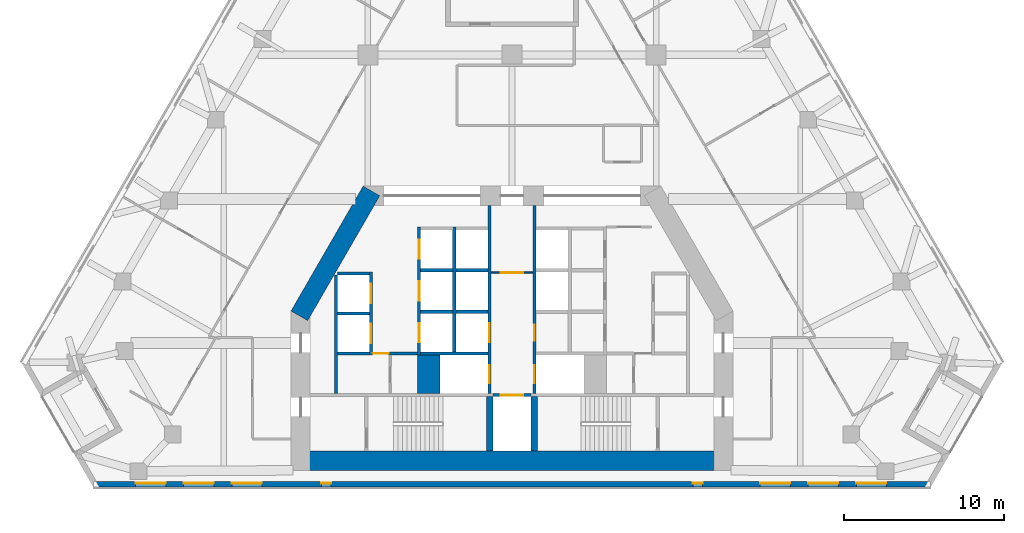
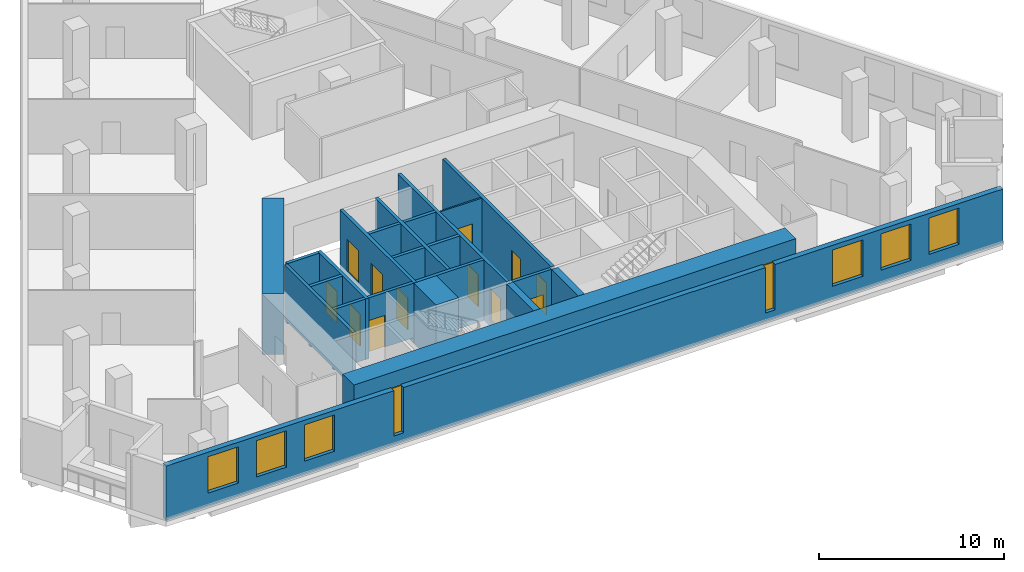
# One storey, part 4 of 9: 23 walls, 12 doors, 8 windows, 20 openings.
"""IFC4 building model written with IfcOpenShell, lengths in metres."""

from ifc_helpers import new_model, si_unit, direction, frame, frame_2d, origin, place, context, subcontext, project, spatial, rectangle, extrude, material, layer, layer_set, type_object, element, fill, save


model = new_model("IFC4")

# Units and contexts
model_context = context("Model", 3, precision=1e-05, world=origin(), true_north=direction((0.0, 1.0)))
body_context = subcontext(model_context, "Body", "Model", "MODEL_VIEW")
ifc_project = project(units=[si_unit("LENGTHUNIT", "METRE"), si_unit("AREAUNIT", "SQUARE_METRE"), si_unit("VOLUMEUNIT", "CUBIC_METRE"), si_unit("PLANEANGLEUNIT", "RADIAN"), si_unit("MASSUNIT", "GRAM", prefix="KILO")], contexts=[model_context])

# Site, building, storey
site_placement = place(None, origin())
site = spatial("IfcSite", under=ifc_project, at=site_placement, CompositionType="ELEMENT")
building_placement = place(site_placement, origin())
building = spatial("IfcBuilding", under=site, at=building_placement, Name="Fogline Exchange Tower", CompositionType="ELEMENT")
storey_placement = place(building_placement, frame((0.0, 0.0, 104.10009765625)))
storey = spatial("IfcBuildingStorey", under=building, at=storey_placement, Name="L22", CompositionType="ELEMENT", Elevation=104.10009765625)

# Wall, opening, door
ifc_material_1 = material(Name="Blockwork partition", Category="masonry")
ifc_layer_1 = layer(ifc_material_1, 0.10009765625)
ifc_layer_set_1 = layer_set([ifc_layer_1], Name="CW10")
wall_type_1 = type_object("IfcWallType", Name="CW10", PredefinedType="PARTITIONING", material=ifc_layer_set_1)
wall_1_placement = place(storey_placement, frame((-1.300048828125, 13.39990234375, 0.0), z_axis=(0.0, 0.0, 1.0), x_axis=(1.0, 0.0, 0.0)))
wall_1 = element("IfcWall", 1, at=wall_1_placement, inside=storey, type_object=wall_type_1, Name="Lift lobby partition", PredefinedType="PARTITIONING", context=body_context, shape_type="SweptSolid", body=[
    extrude(rectangle(XDim=2.60009765625, YDim=0.10009765625, at=frame_2d((1.300048828125, 0.0))), origin(), (0.0, 0.0, 1.0), 3.599853515625),
])
opening_1_placement = place(wall_1_placement, frame((0.60009765625, 0.0, 0.0)))
opening_1 = element("IfcOpeningElement", 2, at=opening_1_placement, cuts=wall_1, Name="Opening T06-C018", PredefinedType="OPENING", context=body_context, shape_type="SweptSolid", body=[
    extrude(rectangle(XDim=1.39990234375, YDim=2.10009765625, at=frame_2d((0.699951171875, 1.050048828125))), frame((0.0, 0.06005859375, 0.0), z_axis=(0.0, -1.0, 0.0), x_axis=(1.0, 0.0, 0.0)), (0.0, 0.0, 1.0), 0.1201171875),
])
ifc_material_2 = material(Name="Steel and timber fire door", Category="steel")
door_type_1 = type_object("IfcDoorType", Name="D-LB1", OperationType="DOUBLE_DOOR_SINGLE_SWING", PredefinedType="DOOR", material=ifc_material_2)
door_1_placement = place(opening_1_placement, origin())
door_1 = element("IfcDoor", 3, at=door_1_placement, inside=storey, type_object=door_type_1, Name="Door to firefighting lift lobby", OperationType="DOUBLE_DOOR_SINGLE_SWING", OverallHeight=2.10009765625, OverallWidth=1.39990234375, PredefinedType="DOOR", context=body_context, shape_type="SweptSolid", body=[
    extrude(rectangle(XDim=1.39990234375, YDim=2.10009765625, at=frame_2d((0.699951171875, 1.050048828125))), frame((0.0, 0.02490234375, 0.0), z_axis=(0.0, -1.0, 0.0), x_axis=(1.0, 0.0, 0.0)), (0.0, 0.0, 1.0), 0.050048828125),
])
fill(opening_1, door_1)

# Walls
ifc_material_3 = material(Name="Concrete C60", Category="concrete")
ifc_layer_2 = layer(ifc_material_3, 1.39990234375)
ifc_layer_set_2 = layer_set([ifc_layer_2], Name="CW140")
wall_type_2 = type_object("IfcWallType", Name="CW140", PredefinedType="SOLIDWALL", material=ifc_layer_set_2)
wall_2_placement = place(storey_placement, frame((-5.199951171875, 5.85009765625, -0.400146484375), z_axis=(0.0, 0.0, 1.0), x_axis=(0.0, 1.0, 0.0)))
element("IfcWall", 4, at=wall_2_placement, inside=storey, type_object=wall_type_2, Name="Lift shaft block wall", PredefinedType="SOLIDWALL", context=body_context, shape_type="SweptSolid", body=[
    extrude(rectangle(XDim=2.39990234375, YDim=1.39990234375, at=frame_2d((1.199951171875, 0.0))), origin(), (0.0, 0.0, 1.0), 4.0),
])
ifc_material_4 = material(Name="Concrete C40", Category="concrete")
ifc_layer_3 = layer(ifc_material_4, 0.199951171875)
ifc_layer_set_3 = layer_set([ifc_layer_3], Name="CW20")
wall_type_3 = type_object("IfcWallType", Name="CW20", PredefinedType="SOLIDWALL", material=ifc_layer_set_3)
wall_3_placement = place(storey_placement, frame((-11.0, 5.85009765625, 0.0), z_axis=(0.0, 0.0, 1.0), x_axis=(0.0, 1.0, 0.0)))
element("IfcWall", 5, at=wall_3_placement, inside=storey, type_object=wall_type_3, Name="Service room wall", PredefinedType="SOLIDWALL", context=body_context, shape_type="SweptSolid", body=[
    extrude(rectangle(XDim=7.39990234375, YDim=0.199951171875, at=frame_2d((3.699951171875, 0.0))), origin(), (0.0, 0.0, 1.0), 3.599853515625),
])

# Wall, opening, door
wall_4_placement = place(storey_placement, frame((-8.699951171875, 8.35009765625, 0.0), z_axis=(0.0, 0.0, 1.0), x_axis=(1.0, 0.0, 0.0)))
wall_4 = element("IfcWall", 6, at=wall_4_placement, inside=storey, type_object=wall_type_3, Name="WC wall", PredefinedType="SOLIDWALL", context=body_context, shape_type="SweptSolid", body=[
    extrude(rectangle(XDim=2.800048828125, YDim=0.199951171875, at=frame_2d((1.39990234375, 0.0))), origin(), (0.0, 0.0, 1.0), 3.599853515625),
])
opening_2_placement = place(wall_4_placement, origin())
opening_2 = element("IfcOpeningElement", 7, at=opening_2_placement, cuts=wall_4, Name="Opening T06-C007", PredefinedType="OPENING", context=body_context, shape_type="SweptSolid", body=[
    extrude(rectangle(XDim=1.0, YDim=2.10009765625, at=frame_2d((0.5, 1.050048828125))), frame((0.0, 0.10986328125, 0.0), z_axis=(0.0, -1.0, 0.0), x_axis=(1.0, 0.0, 0.0)), (0.0, 0.0, 1.0), 0.219970703125),
])
door_type_2 = type_object("IfcDoorType", Name="D-WC1", OperationType="SINGLE_SWING_LEFT", PredefinedType="DOOR", material=ifc_material_2)
door_2_placement = place(opening_2_placement, frame((1.0, 0.0, 0.0), z_axis=(0.0, 0.0, 1.0), x_axis=(-1.0, 0.0, 0.0)))
door_2 = element("IfcDoor", 8, at=door_2_placement, inside=storey, type_object=door_type_2, Name="Door to Men's WC", OperationType="SINGLE_SWING_LEFT", OverallHeight=2.10009765625, OverallWidth=1.0, PredefinedType="DOOR", context=body_context, shape_type="SweptSolid", body=[
    extrude(rectangle(XDim=1.0, YDim=2.10009765625, at=frame_2d((0.5, 1.050048828125))), frame((0.0, 0.02490234375, 0.0), z_axis=(0.0, -1.0, 0.0), x_axis=(1.0, 0.0, 0.0)), (0.0, 0.0, 1.0), 0.050048828125),
])
fill(opening_2, door_2)

ifc_layer_4 = layer(ifc_material_4, 0.199951171875)
ifc_layer_set_4 = layer_set([ifc_layer_4], Name="CW20R")
wall_type_4 = type_object("IfcWallType", Name="CW20R", PredefinedType="SOLIDWALL", material=ifc_layer_set_4)
wall_5_placement = place(storey_placement, frame((-1.199951171875, 5.75, -0.400146484375), z_axis=(0.0, 0.0, 1.0), x_axis=(1.0, 0.0, 0.0)))
wall_5 = element("IfcWall", 9, at=wall_5_placement, inside=storey, type_object=wall_type_4, Name="Stair enclosure wall", PredefinedType="SOLIDWALL", context=body_context, shape_type="SweptSolid", body=[
    extrude(rectangle(XDim=2.39990234375, YDim=0.199951171875, at=frame_2d((1.199951171875, 0.0))), origin(), (0.0, 0.0, 1.0), 4.0),
])
opening_3_placement = place(wall_5_placement, frame((0.5, 0.0, 0.39990234375)))
opening_3 = element("IfcOpeningElement", 10, at=opening_3_placement, cuts=wall_5, Name="Opening T06-LD09", PredefinedType="OPENING", context=body_context, shape_type="SweptSolid", body=[
    extrude(rectangle(XDim=1.39990234375, YDim=2.10009765625, at=frame_2d((0.699951171875, 1.050048828125))), frame((0.0, 0.10986328125, 0.0), z_axis=(0.0, -1.0, 0.0), x_axis=(1.0, 0.0, 0.0)), (0.0, 0.0, 1.0), 0.219970703125),
])
door_type_3 = type_object("IfcDoorType", Name="LD3", OperationType="SLIDING_TO_LEFT", PredefinedType="DOOR", material=ifc_material_2)
door_3_placement = place(opening_3_placement, origin())
door_3 = element("IfcDoor", 11, at=door_3_placement, inside=storey, type_object=door_type_3, Name="Landing door GL1", OperationType="SLIDING_TO_LEFT", OverallHeight=2.10009765625, OverallWidth=1.39990234375, PredefinedType="DOOR", context=body_context, shape_type="SweptSolid", body=[
    extrude(rectangle(XDim=1.39990234375, YDim=2.10009765625, at=frame_2d((0.699951171875, 1.050048828125))), frame((0.0, 0.02490234375, 0.0), z_axis=(0.0, -1.0, 0.0), x_axis=(1.0, 0.0, 0.0)), (0.0, 0.0, 1.0), 0.050048828125),
])
fill(opening_3, door_3)

# Wall, openings, doors
ifc_layer_5 = layer(ifc_material_4, 0.199951171875)
ifc_layer_set_5 = layer_set([ifc_layer_5], Name="CW20S")
wall_type_5 = type_object("IfcWallType", Name="CW20S", PredefinedType="SOLIDWALL", material=ifc_layer_set_5)
wall_6_placement = place(storey_placement, frame((-8.800048828125, 8.25, -0.400146484375), z_axis=(0.0, 0.0, 1.0), x_axis=(0.0, 1.0, 0.0)))
wall_6 = element("IfcWall", 12, at=wall_6_placement, inside=storey, type_object=wall_type_5, Name="Lift shaft wall", PredefinedType="SOLIDWALL", context=body_context, shape_type="SweptSolid", body=[
    extrude(rectangle(XDim=5.199951171875, YDim=0.199951171875, at=frame_2d((2.60009765625, 0.0))), origin(), (0.0, 0.0, 1.0), 4.0),
])
opening_4_placement = place(wall_6_placement, frame((0.75, 0.0, 0.39990234375)))
opening_4 = element("IfcOpeningElement", 13, at=opening_4_placement, cuts=wall_6, Name="Opening T06-LD01", PredefinedType="OPENING", context=body_context, shape_type="SweptSolid", body=[
    extrude(rectangle(XDim=1.199951171875, YDim=2.10009765625, at=frame_2d((0.60009765625, 1.050048828125))), frame((0.0, 0.10986328125, 0.0), z_axis=(0.0, -1.0, 0.0), x_axis=(1.0, 0.0, 0.0)), (0.0, 0.0, 1.0), 0.219970703125),
])
opening_5_placement = place(wall_6_placement, frame((3.25, 0.0, 0.39990234375)))
opening_5 = element("IfcOpeningElement", 14, at=opening_5_placement, cuts=wall_6, Name="Opening T06-LD02", PredefinedType="OPENING", context=body_context, shape_type="SweptSolid", body=[
    extrude(rectangle(XDim=1.199951171875, YDim=2.10009765625, at=frame_2d((0.60009765625, 1.050048828125))), frame((0.0, 0.10986328125, 0.0), z_axis=(0.0, -1.0, 0.0), x_axis=(1.0, 0.0, 0.0)), (0.0, 0.0, 1.0), 0.219970703125),
])
door_type_4 = type_object("IfcDoorType", Name="LD1", OperationType="SLIDING_TO_LEFT", PredefinedType="DOOR", material=ifc_material_2)
door_4_placement = place(opening_4_placement, origin())
door_4 = element("IfcDoor", 15, at=door_4_placement, inside=storey, type_object=door_type_4, Name="Landing door LR1", OperationType="SLIDING_TO_LEFT", OverallHeight=2.10009765625, OverallWidth=1.199951171875, PredefinedType="DOOR", context=body_context, shape_type="SweptSolid", body=[
    extrude(rectangle(XDim=1.199951171875, YDim=2.10009765625, at=frame_2d((0.60009765625, 1.050048828125))), frame((0.0, 0.02490234375, 0.0), z_axis=(0.0, -1.0, 0.0), x_axis=(1.0, 0.0, 0.0)), (0.0, 0.0, 1.0), 0.050048828125),
])
fill(opening_4, door_4)
door_5_placement = place(opening_5_placement, origin())
door_5 = element("IfcDoor", 16, at=door_5_placement, inside=storey, type_object=door_type_4, Name="Landing door LR2", OperationType="SLIDING_TO_LEFT", OverallHeight=2.10009765625, OverallWidth=1.199951171875, PredefinedType="DOOR", context=body_context, shape_type="SweptSolid", body=[
    extrude(rectangle(XDim=1.199951171875, YDim=2.10009765625, at=frame_2d((0.60009765625, 1.050048828125))), frame((0.0, 0.02490234375, 0.0), z_axis=(0.0, -1.0, 0.0), x_axis=(1.0, 0.0, 0.0)), (0.0, 0.0, 1.0), 0.050048828125),
])
fill(opening_5, door_5)

wall_7_placement = place(storey_placement, frame((-5.800048828125, 8.25, -0.400146484375), z_axis=(0.0, 0.0, 1.0), x_axis=(0.0, 1.0, 0.0)))
wall_7 = element("IfcWall", 17, at=wall_7_placement, inside=storey, type_object=wall_type_5, Name="Lift shaft wall", PredefinedType="SOLIDWALL", context=body_context, shape_type="SweptSolid", body=[
    extrude(rectangle(XDim=8.0, YDim=0.199951171875, at=frame_2d((4.0, 0.0))), origin(), (0.0, 0.0, 1.0), 4.0),
])
opening_6_placement = place(wall_7_placement, frame((0.800048828125, 0.0, 0.39990234375)))
opening_6 = element("IfcOpeningElement", 18, at=opening_6_placement, cuts=wall_7, Name="Opening T06-LD03", PredefinedType="OPENING", context=body_context, shape_type="SweptSolid", body=[
    extrude(rectangle(XDim=1.199951171875, YDim=2.10009765625, at=frame_2d((0.60009765625, 1.050048828125))), frame((0.0, 0.10986328125, 0.0), z_axis=(0.0, -1.0, 0.0), x_axis=(1.0, 0.0, 0.0)), (0.0, 0.0, 1.0), 0.219970703125),
])
opening_7_placement = place(wall_7_placement, frame((3.39990234375, 0.0, 0.39990234375)))
opening_7 = element("IfcOpeningElement", 19, at=opening_7_placement, cuts=wall_7, Name="Opening T06-LD04", PredefinedType="OPENING", context=body_context, shape_type="SweptSolid", body=[
    extrude(rectangle(XDim=1.199951171875, YDim=2.10009765625, at=frame_2d((0.60009765625, 1.050048828125))), frame((0.0, 0.10986328125, 0.0), z_axis=(0.0, -1.0, 0.0), x_axis=(1.0, 0.0, 0.0)), (0.0, 0.0, 1.0), 0.219970703125),
])
opening_8_placement = place(wall_7_placement, frame((6.0, 0.0, 0.39990234375)))
opening_8 = element("IfcOpeningElement", 20, at=opening_8_placement, cuts=wall_7, Name="Opening T06-LD05", PredefinedType="OPENING", context=body_context, shape_type="SweptSolid", body=[
    extrude(rectangle(XDim=1.199951171875, YDim=2.10009765625, at=frame_2d((0.60009765625, 1.050048828125))), frame((0.0, 0.10986328125, 0.0), z_axis=(0.0, -1.0, 0.0), x_axis=(1.0, 0.0, 0.0)), (0.0, 0.0, 1.0), 0.219970703125),
])
door_6_placement = place(opening_6_placement, origin())
door_6 = element("IfcDoor", 21, at=door_6_placement, inside=storey, type_object=door_type_4, Name="Landing door LR3", OperationType="SLIDING_TO_LEFT", OverallHeight=2.10009765625, OverallWidth=1.199951171875, PredefinedType="DOOR", context=body_context, shape_type="SweptSolid", body=[
    extrude(rectangle(XDim=1.199951171875, YDim=2.10009765625, at=frame_2d((0.60009765625, 1.050048828125))), frame((0.0, 0.02490234375, 0.0), z_axis=(0.0, -1.0, 0.0), x_axis=(1.0, 0.0, 0.0)), (0.0, 0.0, 1.0), 0.050048828125),
])
fill(opening_6, door_6)
door_7_placement = place(opening_7_placement, origin())
door_7 = element("IfcDoor", 22, at=door_7_placement, inside=storey, type_object=door_type_4, Name="Landing door LR4", OperationType="SLIDING_TO_LEFT", OverallHeight=2.10009765625, OverallWidth=1.199951171875, PredefinedType="DOOR", context=body_context, shape_type="SweptSolid", body=[
    extrude(rectangle(XDim=1.199951171875, YDim=2.10009765625, at=frame_2d((0.60009765625, 1.050048828125))), frame((0.0, 0.02490234375, 0.0), z_axis=(0.0, -1.0, 0.0), x_axis=(1.0, 0.0, 0.0)), (0.0, 0.0, 1.0), 0.050048828125),
])
fill(opening_7, door_7)
door_8_placement = place(opening_8_placement, origin())
door_8 = element("IfcDoor", 23, at=door_8_placement, inside=storey, type_object=door_type_4, Name="Landing door LR5", OperationType="SLIDING_TO_LEFT", OverallHeight=2.10009765625, OverallWidth=1.199951171875, PredefinedType="DOOR", context=body_context, shape_type="SweptSolid", body=[
    extrude(rectangle(XDim=1.199951171875, YDim=2.10009765625, at=frame_2d((0.60009765625, 1.050048828125))), frame((0.0, 0.02490234375, 0.0), z_axis=(0.0, -1.0, 0.0), x_axis=(1.0, 0.0, 0.0)), (0.0, 0.0, 1.0), 0.050048828125),
])
fill(opening_8, door_8)

# Wall
wall_8_placement = place(storey_placement, frame((-3.60009765625, 8.449951171875, -0.400146484375), z_axis=(0.0, 0.0, 1.0), x_axis=(0.0, 1.0, 0.0)))
element("IfcWall", 24, at=wall_8_placement, inside=storey, type_object=wall_type_5, Name="Lift shaft wall", PredefinedType="SOLIDWALL", context=body_context, shape_type="SweptSolid", body=[
    extrude(rectangle(XDim=7.800048828125, YDim=0.199951171875, at=frame_2d((3.89990234375, 0.0))), origin(), (0.0, 0.0, 1.0), 4.0),
])

# Wall, openings, doors
wall_9_placement = place(storey_placement, frame((-1.39990234375, 5.85009765625, -0.400146484375), z_axis=(0.0, 0.0, 1.0), x_axis=(0.0, 1.0, 0.0)))
wall_9 = element("IfcWall", 25, at=wall_9_placement, inside=storey, type_object=wall_type_5, Name="Lift lobby wall", PredefinedType="SOLIDWALL", context=body_context, shape_type="SweptSolid", body=[
    extrude(rectangle(XDim=11.75, YDim=0.199951171875, at=frame_2d((5.875, 0.0))), origin(), (0.0, 0.0, 1.0), 4.0),
])
opening_9_placement = place(wall_9_placement, frame((3.199951171875, 0.0, 0.39990234375)))
opening_9 = element("IfcOpeningElement", 26, at=opening_9_placement, cuts=wall_9, Name="Opening T06-LD06", PredefinedType="OPENING", context=body_context, shape_type="SweptSolid", body=[
    extrude(rectangle(XDim=1.199951171875, YDim=2.10009765625, at=frame_2d((0.60009765625, 1.050048828125))), frame((0.0, 0.10986328125, 0.0), z_axis=(0.0, -1.0, 0.0), x_axis=(1.0, 0.0, 0.0)), (0.0, 0.0, 1.0), 0.219970703125),
])
opening_10_placement = place(wall_9_placement, frame((0.64990234375, 0.0, 0.39990234375)))
opening_10 = element("IfcOpeningElement", 27, at=opening_10_placement, cuts=wall_9, Name="Opening T06-LD07", PredefinedType="OPENING", context=body_context, shape_type="SweptSolid", body=[
    extrude(rectangle(XDim=1.10009765625, YDim=2.10009765625, at=frame_2d((0.550048828125, 1.050048828125))), frame((0.0, 0.10986328125, 0.0), z_axis=(0.0, -1.0, 0.0), x_axis=(1.0, 0.0, 0.0)), (0.0, 0.0, 1.0), 0.219970703125),
])
door_9_placement = place(opening_9_placement, origin())
door_9 = element("IfcDoor", 28, at=door_9_placement, inside=storey, type_object=door_type_4, Name="Landing door LR6", OperationType="SLIDING_TO_LEFT", OverallHeight=2.10009765625, OverallWidth=1.199951171875, PredefinedType="DOOR", context=body_context, shape_type="SweptSolid", body=[
    extrude(rectangle(XDim=1.199951171875, YDim=2.10009765625, at=frame_2d((0.60009765625, 1.050048828125))), frame((0.0, 0.02490234375, 0.0), z_axis=(0.0, -1.0, 0.0), x_axis=(1.0, 0.0, 0.0)), (0.0, 0.0, 1.0), 0.050048828125),
])
fill(opening_9, door_9)
door_type_5 = type_object("IfcDoorType", Name="LD2", OperationType="SLIDING_TO_RIGHT", PredefinedType="DOOR", material=ifc_material_2)
door_10_placement = place(opening_10_placement, origin())
door_10 = element("IfcDoor", 29, at=door_10_placement, inside=storey, type_object=door_type_5, Name="Landing door FF1", OperationType="SLIDING_TO_RIGHT", OverallHeight=2.10009765625, OverallWidth=1.10009765625, PredefinedType="DOOR", context=body_context, shape_type="SweptSolid", body=[
    extrude(rectangle(XDim=1.10009765625, YDim=2.10009765625, at=frame_2d((0.550048828125, 1.050048828125))), frame((0.0, 0.02490234375, 0.0), z_axis=(0.0, -1.0, 0.0), x_axis=(1.0, 0.0, 0.0)), (0.0, 0.0, 1.0), 0.050048828125),
])
fill(opening_10, door_10)

wall_10_placement = place(storey_placement, frame((1.39990234375, 5.85009765625, -0.400146484375), z_axis=(0.0, 0.0, 1.0), x_axis=(0.0, 1.0, 0.0)))
wall_10 = element("IfcWall", 30, at=wall_10_placement, inside=storey, type_object=wall_type_5, Name="Lift lobby wall", PredefinedType="SOLIDWALL", context=body_context, shape_type="SweptSolid", body=[
    extrude(rectangle(XDim=11.75, YDim=0.199951171875, at=frame_2d((5.875, 0.0))), origin(), (0.0, 0.0, 1.0), 4.0),
])
opening_11_placement = place(wall_10_placement, frame((0.64990234375, 0.0, 0.39990234375)))
opening_11 = element("IfcOpeningElement", 31, at=opening_11_placement, cuts=wall_10, Name="Opening T06-LD08", PredefinedType="OPENING", context=body_context, shape_type="SweptSolid", body=[
    extrude(rectangle(XDim=1.10009765625, YDim=2.10009765625, at=frame_2d((0.550048828125, 1.050048828125))), frame((0.0, 0.10986328125, 0.0), z_axis=(0.0, -1.0, 0.0), x_axis=(1.0, 0.0, 0.0)), (0.0, 0.0, 1.0), 0.219970703125),
])
opening_12_placement = place(wall_10_placement, frame((3.300048828125, 0.0, 0.39990234375)))
opening_12 = element("IfcOpeningElement", 32, at=opening_12_placement, cuts=wall_10, Name="Opening T06-C006", PredefinedType="OPENING", context=body_context, shape_type="SweptSolid", body=[
    extrude(rectangle(XDim=1.0, YDim=2.10009765625, at=frame_2d((0.5, 1.050048828125))), frame((0.0, 0.10986328125, 0.0), z_axis=(0.0, -1.0, 0.0), x_axis=(1.0, 0.0, 0.0)), (0.0, 0.0, 1.0), 0.219970703125),
])
door_type_6 = type_object("IfcDoorType", Name="D-RM1", OperationType="SINGLE_SWING_LEFT", PredefinedType="DOOR", material=ifc_material_2)
door_11_placement = place(opening_12_placement, frame((1.0, 0.0, 0.0), z_axis=(0.0, 0.0, 1.0), x_axis=(-1.0, 0.0, 0.0)))
door_11 = element("IfcDoor", 33, at=door_11_placement, inside=storey, type_object=door_type_6, Name="Door to Cable Store", OperationType="SINGLE_SWING_RIGHT", OverallHeight=2.10009765625, OverallWidth=1.0, PredefinedType="DOOR", context=body_context, shape_type="SweptSolid", body=[
    extrude(rectangle(XDim=1.0, YDim=2.10009765625, at=frame_2d((0.5, 1.050048828125))), frame((0.0, 0.02490234375, 0.0), z_axis=(0.0, -1.0, 0.0), x_axis=(1.0, 0.0, 0.0)), (0.0, 0.0, 1.0), 0.050048828125),
])
fill(opening_12, door_11)
door_12_placement = place(opening_11_placement, origin())
door_12 = element("IfcDoor", 34, at=door_12_placement, inside=storey, type_object=door_type_5, Name="Landing door FF2", OperationType="SLIDING_TO_RIGHT", OverallHeight=2.10009765625, OverallWidth=1.10009765625, PredefinedType="DOOR", context=body_context, shape_type="SweptSolid", body=[
    extrude(rectangle(XDim=1.10009765625, YDim=2.10009765625, at=frame_2d((0.550048828125, 1.050048828125))), frame((0.0, 0.02490234375, 0.0), z_axis=(0.0, -1.0, 0.0), x_axis=(1.0, 0.0, 0.0)), (0.0, 0.0, 1.0), 0.050048828125),
])
fill(opening_11, door_12)

# Walls
wall_11_placement = place(storey_placement, frame((-10.89990234375, 8.35009765625, -0.400146484375), z_axis=(0.0, 0.0, 1.0), x_axis=(1.0, 0.0, 0.0)))
element("IfcWall", 35, at=wall_11_placement, inside=storey, type_object=wall_type_5, Name="Lift shaft wall", PredefinedType="SOLIDWALL", context=body_context, shape_type="SweptSolid", body=[
    extrude(rectangle(XDim=2.0, YDim=0.199951171875, at=frame_2d((1.0, 0.0))), origin(), (0.0, 0.0, 1.0), 4.0),
])
wall_12_placement = place(storey_placement, frame((-5.699951171875, 8.35009765625, -0.400146484375), z_axis=(0.0, 0.0, 1.0), x_axis=(1.0, 0.0, 0.0)))
element("IfcWall", 36, at=wall_12_placement, inside=storey, type_object=wall_type_5, Name="Lift shaft wall", PredefinedType="SOLIDWALL", context=body_context, shape_type="SweptSolid", body=[
    extrude(rectangle(XDim=4.199951171875, YDim=0.199951171875, at=frame_2d((2.10009765625, 0.0))), origin(), (0.0, 0.0, 1.0), 4.0),
])
for number, where, z_axis, x_axis, name in (
    (37, (-10.89990234375, 10.85009765625, -0.400146484375), (0.0, 0.0, 1.0), (1.0, 0.0, 0.0), "Lift shaft wall"),
    (38, (-10.89990234375, 13.35009765625, -0.400146484375), (0.0, 0.0, 1.0), (1.0, 0.0, 0.0), "Lift shaft wall"),
    (39, (-5.699951171875, 10.949951171875, -0.400146484375), (0.0, 0.0, 1.0), (1.0, 0.0, 0.0), "Lift shaft wall"),
    (40, (-5.699951171875, 13.550048828125, -0.400146484375), (0.0, 0.0, 1.0), (1.0, 0.0, 0.0), "Lift shaft wall"),
    (41, (-3.5, 10.949951171875, -0.400146484375), (0.0, 0.0, 1.0), (1.0, 0.0, 0.0), "Lift shaft wall"),
    (42, (-3.5, 13.550048828125, -0.400146484375), (0.0, 0.0, 1.0), (1.0, 0.0, 0.0), "Lift shaft wall"),
):
    element("IfcWall", number, at=place(storey_placement, frame(where, z_axis=z_axis, x_axis=x_axis)), inside=storey, type_object=wall_type_5, Name=name, PredefinedType="SOLIDWALL", context=body_context, shape_type="SweptSolid", body=[
        extrude(rectangle(XDim=2.0, YDim=0.199951171875, at=frame_2d((1.0, 0.0))), origin(), (0.0, 0.0, 1.0), 4.0),
    ])
ifc_layer_6 = layer(ifc_material_4, 0.39990234375)
ifc_layer_set_6 = layer_set([ifc_layer_6], Name="CW40R")
wall_type_6 = type_object("IfcWallType", Name="CW40R", PredefinedType="SOLIDWALL", material=ifc_layer_set_6)
for number, where, z_axis, x_axis, name in (
    (43, (-1.39990234375, 2.25, -0.400146484375), (0.0, 0.0, 1.0), (0.0, 1.0, 0.0), "Stair and lift shaft wall"),
    (44, (1.39990234375, 2.25, -0.400146484375), (0.0, 0.0, 1.0), (0.0, 1.0, 0.0), "Stair and lift shaft wall"),
):
    element("IfcWall", number, at=place(storey_placement, frame(where, z_axis=z_axis, x_axis=x_axis)), inside=storey, type_object=wall_type_6, Name=name, PredefinedType="SOLIDWALL", context=body_context, shape_type="SweptSolid", body=[
        extrude(rectangle(XDim=3.39990234375, YDim=0.39990234375, at=frame_2d((1.699951171875, 0.0))), origin(), (0.0, 0.0, 1.0), 4.0),
    ])

# Wall, openings, windows
ifc_material_5 = material(Name="Brick masonry", Category="masonry")
ifc_layer_7 = layer(ifc_material_5, 0.340087890625)
ifc_layer_set_7 = layer_set([ifc_layer_7], Name="FW1")
wall_type_7 = type_object("IfcWallType", Name="FW1", PredefinedType="SOLIDWALL", material=ifc_layer_set_7)
wall_13_placement = place(storey_placement, frame((-26.137939453125, 0.169921875, 0.0), z_axis=(0.0, 0.0, 1.0), x_axis=(1.0, 0.0, 0.0)))
wall_13 = element("IfcWall", 45, at=wall_13_placement, inside=storey, type_object=wall_type_7, Name="Brick wall L22 S", PredefinedType="SOLIDWALL", context=body_context, shape_type="SweptSolid", body=[
    extrude(rectangle(XDim=52.27587890625, YDim=0.340087890625, at=frame_2d((26.137939453125, 0.0))), origin(), (0.0, 0.0, 1.0), 3.599853515625),
])
opening_13_placement = place(wall_13_placement, frame((2.637939453125, 0.0, 0.89990234375)))
opening_13 = element("IfcOpeningElement", 46, at=opening_13_placement, cuts=wall_13, Name="Opening W1", PredefinedType="OPENING", context=body_context, shape_type="SweptSolid", body=[
    extrude(rectangle(XDim=1.885009765625, YDim=2.39990234375, at=frame_2d((0.9423828125, 1.199951171875))), frame((0.0, 0.18017578125, 0.0), z_axis=(0.0, -1.0, 0.0), x_axis=(1.0, 0.0, 0.0)), (0.0, 0.0, 1.0), 0.360107421875),
])
opening_14_placement = place(wall_13_placement, frame((5.637939453125, 0.0, 0.89990234375)))
opening_14 = element("IfcOpeningElement", 47, at=opening_14_placement, cuts=wall_13, Name="Opening W1", PredefinedType="OPENING", context=body_context, shape_type="SweptSolid", body=[
    extrude(rectangle(XDim=1.885009765625, YDim=2.39990234375, at=frame_2d((0.9423828125, 1.199951171875))), frame((0.0, 0.18017578125, 0.0), z_axis=(0.0, -1.0, 0.0), x_axis=(1.0, 0.0, 0.0)), (0.0, 0.0, 1.0), 0.360107421875),
])
opening_15_placement = place(wall_13_placement, frame((8.637939453125, 0.0, 0.89990234375)))
opening_15 = element("IfcOpeningElement", 48, at=opening_15_placement, cuts=wall_13, Name="Opening W1", PredefinedType="OPENING", context=body_context, shape_type="SweptSolid", body=[
    extrude(rectangle(XDim=1.885009765625, YDim=2.39990234375, at=frame_2d((0.9423828125, 1.199951171875))), frame((0.0, 0.18017578125, 0.0), z_axis=(0.0, -1.0, 0.0), x_axis=(1.0, 0.0, 0.0)), (0.0, 0.0, 1.0), 0.360107421875),
])
opening_16_placement = place(wall_13_placement, frame((41.637939453125, 0.0, 0.89990234375)))
opening_16 = element("IfcOpeningElement", 49, at=opening_16_placement, cuts=wall_13, Name="Opening W1", PredefinedType="OPENING", context=body_context, shape_type="SweptSolid", body=[
    extrude(rectangle(XDim=1.885009765625, YDim=2.39990234375, at=frame_2d((0.9423828125, 1.199951171875))), frame((0.0, 0.18017578125, 0.0), z_axis=(0.0, -1.0, 0.0), x_axis=(1.0, 0.0, 0.0)), (0.0, 0.0, 1.0), 0.360107421875),
])
opening_17_placement = place(wall_13_placement, frame((44.637939453125, 0.0, 0.89990234375)))
opening_17 = element("IfcOpeningElement", 50, at=opening_17_placement, cuts=wall_13, Name="Opening W1", PredefinedType="OPENING", context=body_context, shape_type="SweptSolid", body=[
    extrude(rectangle(XDim=1.885009765625, YDim=2.39990234375, at=frame_2d((0.9423828125, 1.199951171875))), frame((0.0, 0.18017578125, 0.0), z_axis=(0.0, -1.0, 0.0), x_axis=(1.0, 0.0, 0.0)), (0.0, 0.0, 1.0), 0.360107421875),
])
opening_18_placement = place(wall_13_placement, frame((47.637939453125, 0.0, 0.89990234375)))
opening_18 = element("IfcOpeningElement", 51, at=opening_18_placement, cuts=wall_13, Name="Opening W1", PredefinedType="OPENING", context=body_context, shape_type="SweptSolid", body=[
    extrude(rectangle(XDim=1.885009765625, YDim=2.39990234375, at=frame_2d((0.9423828125, 1.199951171875))), frame((0.0, 0.18017578125, 0.0), z_axis=(0.0, -1.0, 0.0), x_axis=(1.0, 0.0, 0.0)), (0.0, 0.0, 1.0), 0.360107421875),
])
opening_19_placement = place(wall_13_placement, frame((14.238037109375, 0.0, 0.60009765625)))
opening_19 = element("IfcOpeningElement", 52, at=opening_19_placement, cuts=wall_13, Name="Opening W5", PredefinedType="OPENING", context=body_context, shape_type="SweptSolid", body=[
    extrude(rectangle(XDim=0.60009765625, YDim=3.0, at=frame_2d((0.300048828125, 1.5))), frame((0.0, 0.18017578125, 0.0), z_axis=(0.0, -1.0, 0.0), x_axis=(1.0, 0.0, 0.0)), (0.0, 0.0, 1.0), 0.360107421875),
])
opening_20_placement = place(wall_13_placement, frame((37.43798828125, 0.0, 0.60009765625)))
opening_20 = element("IfcOpeningElement", 53, at=opening_20_placement, cuts=wall_13, Name="Opening W5", PredefinedType="OPENING", context=body_context, shape_type="SweptSolid", body=[
    extrude(rectangle(XDim=0.60009765625, YDim=3.0, at=frame_2d((0.300048828125, 1.5))), frame((0.0, 0.18017578125, 0.0), z_axis=(0.0, -1.0, 0.0), x_axis=(1.0, 0.0, 0.0)), (0.0, 0.0, 1.0), 0.360107421875),
])
ifc_material_6 = material(Name="Aluminium and glass", Category="aluminium")
window_type_1 = type_object("IfcWindowType", Name="W1", PartitioningType="SINGLE_PANEL", PredefinedType="WINDOW", material=ifc_material_6)
window_1_placement = place(opening_13_placement, origin())
window_1 = element("IfcWindow", 54, at=window_1_placement, inside=storey, type_object=window_type_1, Name="W1 W1", OverallHeight=2.39990234375, OverallWidth=1.885009765625, PartitioningType="SINGLE_PANEL", PredefinedType="WINDOW", context=body_context, shape_type="SweptSolid", body=[
    extrude(rectangle(XDim=1.885009765625, YDim=2.39990234375, at=frame_2d((0.9423828125, 1.199951171875))), frame((0.0, 0.110107421875, 0.0), z_axis=(0.0, -1.0, 0.0), x_axis=(1.0, 0.0, 0.0)), (0.0, 0.0, 1.0), 0.06005859375),
])
fill(opening_13, window_1)
window_2_placement = place(opening_14_placement, origin())
window_2 = element("IfcWindow", 55, at=window_2_placement, inside=storey, type_object=window_type_1, Name="W1 W1", OverallHeight=2.39990234375, OverallWidth=1.885009765625, PartitioningType="SINGLE_PANEL", PredefinedType="WINDOW", context=body_context, shape_type="SweptSolid", body=[
    extrude(rectangle(XDim=1.885009765625, YDim=2.39990234375, at=frame_2d((0.9423828125, 1.199951171875))), frame((0.0, 0.110107421875, 0.0), z_axis=(0.0, -1.0, 0.0), x_axis=(1.0, 0.0, 0.0)), (0.0, 0.0, 1.0), 0.06005859375),
])
fill(opening_14, window_2)
window_3_placement = place(opening_15_placement, origin())
window_3 = element("IfcWindow", 56, at=window_3_placement, inside=storey, type_object=window_type_1, Name="W1 W1", OverallHeight=2.39990234375, OverallWidth=1.885009765625, PartitioningType="SINGLE_PANEL", PredefinedType="WINDOW", context=body_context, shape_type="SweptSolid", body=[
    extrude(rectangle(XDim=1.885009765625, YDim=2.39990234375, at=frame_2d((0.9423828125, 1.199951171875))), frame((0.0, 0.110107421875, 0.0), z_axis=(0.0, -1.0, 0.0), x_axis=(1.0, 0.0, 0.0)), (0.0, 0.0, 1.0), 0.06005859375),
])
fill(opening_15, window_3)
window_4_placement = place(opening_16_placement, origin())
window_4 = element("IfcWindow", 57, at=window_4_placement, inside=storey, type_object=window_type_1, Name="W1 W1", OverallHeight=2.39990234375, OverallWidth=1.885009765625, PartitioningType="SINGLE_PANEL", PredefinedType="WINDOW", context=body_context, shape_type="SweptSolid", body=[
    extrude(rectangle(XDim=1.885009765625, YDim=2.39990234375, at=frame_2d((0.9423828125, 1.199951171875))), frame((0.0, 0.110107421875, 0.0), z_axis=(0.0, -1.0, 0.0), x_axis=(1.0, 0.0, 0.0)), (0.0, 0.0, 1.0), 0.06005859375),
])
fill(opening_16, window_4)
window_5_placement = place(opening_17_placement, origin())
window_5 = element("IfcWindow", 58, at=window_5_placement, inside=storey, type_object=window_type_1, Name="W1 W1", OverallHeight=2.39990234375, OverallWidth=1.885009765625, PartitioningType="SINGLE_PANEL", PredefinedType="WINDOW", context=body_context, shape_type="SweptSolid", body=[
    extrude(rectangle(XDim=1.885009765625, YDim=2.39990234375, at=frame_2d((0.9423828125, 1.199951171875))), frame((0.0, 0.110107421875, 0.0), z_axis=(0.0, -1.0, 0.0), x_axis=(1.0, 0.0, 0.0)), (0.0, 0.0, 1.0), 0.06005859375),
])
fill(opening_17, window_5)
window_6_placement = place(opening_18_placement, origin())
window_6 = element("IfcWindow", 59, at=window_6_placement, inside=storey, type_object=window_type_1, Name="W1 W1", OverallHeight=2.39990234375, OverallWidth=1.885009765625, PartitioningType="SINGLE_PANEL", PredefinedType="WINDOW", context=body_context, shape_type="SweptSolid", body=[
    extrude(rectangle(XDim=1.885009765625, YDim=2.39990234375, at=frame_2d((0.9423828125, 1.199951171875))), frame((0.0, 0.110107421875, 0.0), z_axis=(0.0, -1.0, 0.0), x_axis=(1.0, 0.0, 0.0)), (0.0, 0.0, 1.0), 0.06005859375),
])
fill(opening_18, window_6)
window_type_2 = type_object("IfcWindowType", Name="W5", PartitioningType="SINGLE_PANEL", PredefinedType="WINDOW", material=ifc_material_6)
window_7_placement = place(opening_19_placement, origin())
window_7 = element("IfcWindow", 60, at=window_7_placement, inside=storey, type_object=window_type_2, Name="W5 W5", OverallHeight=3.0, OverallWidth=0.60009765625, PartitioningType="SINGLE_PANEL", PredefinedType="WINDOW", context=body_context, shape_type="SweptSolid", body=[
    extrude(rectangle(XDim=0.60009765625, YDim=3.0, at=frame_2d((0.300048828125, 1.5))), frame((0.0, 0.110107421875, 0.0), z_axis=(0.0, -1.0, 0.0), x_axis=(1.0, 0.0, 0.0)), (0.0, 0.0, 1.0), 0.06005859375),
])
fill(opening_19, window_7)
window_8_placement = place(opening_20_placement, origin())
window_8 = element("IfcWindow", 61, at=window_8_placement, inside=storey, type_object=window_type_2, Name="W5 W5", OverallHeight=3.0, OverallWidth=0.60009765625, PartitioningType="SINGLE_PANEL", PredefinedType="WINDOW", context=body_context, shape_type="SweptSolid", body=[
    extrude(rectangle(XDim=0.60009765625, YDim=3.0, at=frame_2d((0.300048828125, 1.5))), frame((0.0, 0.110107421875, 0.0), z_axis=(0.0, -1.0, 0.0), x_axis=(1.0, 0.0, 0.0)), (0.0, 0.0, 1.0), 0.06005859375),
])
fill(opening_20, window_8)

# Walls
ifc_layer_8 = layer(ifc_material_3, 1.199951171875)
ifc_layer_set_8 = layer_set([ifc_layer_8], Name="SW02")
wall_type_8 = type_object("IfcWallType", Name="SW02", PredefinedType="SHEAR", material=ifc_layer_set_8)
wall_14_placement = place(storey_placement, frame((-13.800048828125, 1.64990234375, 0.0), z_axis=(0.0, 0.0, 1.0), x_axis=(1.0, 0.0, 0.0)))
element("IfcWall", 62, at=wall_14_placement, inside=storey, type_object=wall_type_8, Name="L22-W901", PredefinedType="SHEAR", context=body_context, shape_type="SweptSolid", body=[
    extrude(rectangle(XDim=27.60009765625, YDim=1.199951171875, at=frame_2d((13.800048828125, 0.0))), origin(), (0.0, 0.0, 1.0), 4.0),
])
wall_15_placement = place(storey_placement, frame((-8.776611328125, 18.5, 0.0), z_axis=(0.0, 0.0, 1.0), x_axis=(-0.499998513025, -0.866026262288, 0.0)))
element("IfcWall", 63, at=wall_15_placement, inside=storey, type_object=wall_type_8, Name="L22-W905", PredefinedType="SHEAR", context=body_context, shape_type="SweptSolid", body=[
    extrude(rectangle(XDim=9.0078125, YDim=1.199951171875, at=frame_2d((4.50390625, 0.0))), origin(), (0.0, 0.0, 1.0), 4.0),
])

save(model, "model.ifc")
